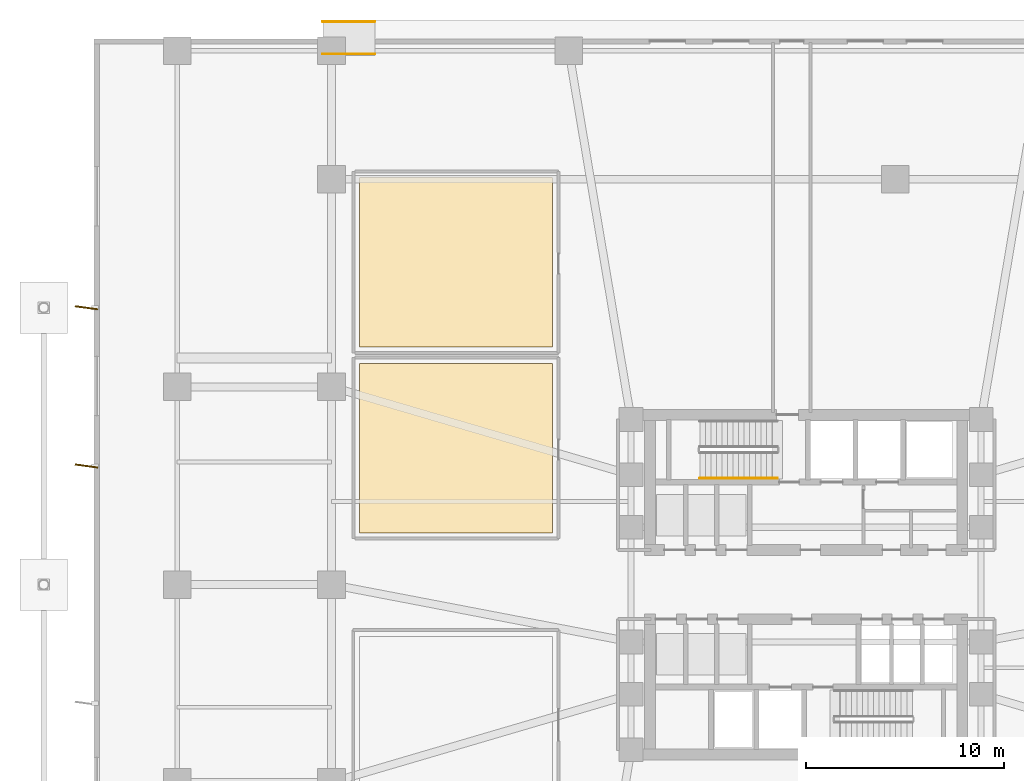
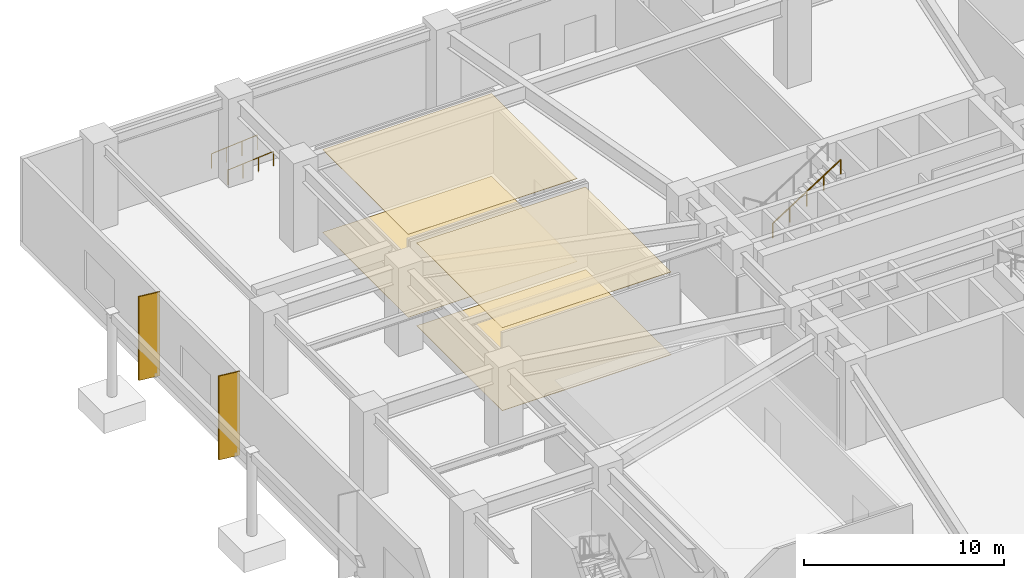
# One storey, part 17 of 20: 4 coverings, 3 railings, 2 shading devices.
"""IFC4 building model written with IfcOpenShell, lengths in metres."""

from ifc_helpers import new_model, si_unit, direction, frame, origin, origin_2d, place, context, subcontext, project, spatial, polyline, rectangle, circle, outline, extrude, material, layer, layer_set, type_object, element, save


model = new_model("IFC4")

# Units and contexts
model_context = context("Model", 3, precision=1e-05, world=origin(), true_north=direction((0.0, 1.0)))
body_context = subcontext(model_context, "Body", "Model", "MODEL_VIEW")
ifc_project = project(units=[si_unit("LENGTHUNIT", "METRE"), si_unit("AREAUNIT", "SQUARE_METRE"), si_unit("VOLUMEUNIT", "CUBIC_METRE"), si_unit("PLANEANGLEUNIT", "RADIAN"), si_unit("MASSUNIT", "GRAM", prefix="KILO")], contexts=[model_context])

# Site, building, storey
site_placement = place(None, origin())
site = spatial("IfcSite", under=ifc_project, at=site_placement, CompositionType="ELEMENT")
building_placement = place(site_placement, origin())
building = spatial("IfcBuilding", under=site, at=building_placement, Name="Solmarez Civic Tower", CompositionType="ELEMENT")
storey_placement = place(building_placement, origin())
storey = spatial("IfcBuildingStorey", under=building, at=storey_placement, Name="L00", CompositionType="ELEMENT", Elevation=0.0)

# Coverings
ifc_material_1 = material(Name="Perforated Mineral-Fibre Acoustic Ceiling")
ifc_layer_1 = layer(ifc_material_1, 0.02490234375)
ifc_layer_set_1 = layer_set([ifc_layer_1], Name="Perforated Mineral-Fibre Acoustic Ceiling")
covering_type_1 = type_object("IfcCoveringType", Name="COV-CEIL-ACOUSTIC", PredefinedType="CEILING", material=ifc_layer_set_1)
covering_1_placement = place(storey_placement, frame((0.0, 0.0, 5.054931640625)))
element("IfcCovering", 1, at=covering_1_placement, inside=storey, type_object=covering_type_1, Name="L00 Suspended Acoustic Ceiling 2", PredefinedType="CEILING", context=body_context, shape_type="SweptSolid", body=[
    extrude(outline(polyline([(-12.820068359375, 2.6201171875), (-12.820068359375, 11.179931640625), (-22.580078125, 11.179931640625), (-22.580078125, 2.6201171875), (-12.820068359375, 2.6201171875)])), origin(), (0.0, 0.0, 1.0), 0.025146484375),
])
covering_2_placement = place(storey_placement, frame((0.0, 0.0, 5.054931640625)))
element("IfcCovering", 2, at=covering_2_placement, inside=storey, type_object=covering_type_1, Name="L00 Suspended Acoustic Ceiling 3", PredefinedType="CEILING", context=body_context, shape_type="SweptSolid", body=[
    extrude(outline(polyline([(-12.820068359375, 12.02001953125), (-12.820068359375, 20.580078125), (-22.580078125, 20.580078125), (-22.580078125, 12.02001953125), (-12.820068359375, 12.02001953125)])), origin(), (0.0, 0.0, 1.0), 0.025146484375),
])
ifc_material_2 = material(Name="Polished Tropical Stone Terrazzo Flooring", Category="masonry")
ifc_layer_2 = layer(ifc_material_2, 0.02001953125)
ifc_layer_set_2 = layer_set([ifc_layer_2], Name="Polished Tropical Stone Terrazzo Flooring")
covering_type_2 = type_object("IfcCoveringType", Name="COV-FLOOR-TERRAZZO", PredefinedType="FLOORING", material=ifc_layer_set_2)
covering_3_placement = place(storey_placement, origin())
element("IfcCovering", 3, at=covering_3_placement, inside=storey, type_object=covering_type_2, Name="L00 Terrazzo Floor Finish 2", PredefinedType="FLOORING", context=body_context, shape_type="SweptSolid", body=[
    extrude(outline(polyline([(-12.820068359375, 2.6201171875), (-12.820068359375, 11.179931640625), (-22.580078125, 11.179931640625), (-22.580078125, 2.6201171875), (-12.820068359375, 2.6201171875)])), origin(), (0.0, 0.0, 1.0), 0.02001953125),
])
covering_4_placement = place(storey_placement, origin())
element("IfcCovering", 4, at=covering_4_placement, inside=storey, type_object=covering_type_2, Name="L00 Terrazzo Floor Finish 3", PredefinedType="FLOORING", context=body_context, shape_type="SweptSolid", body=[
    extrude(outline(polyline([(-12.820068359375, 12.02001953125), (-12.820068359375, 20.580078125), (-22.580078125, 20.580078125), (-22.580078125, 12.02001953125), (-12.820068359375, 12.02001953125)])), origin(), (0.0, 0.0, 1.0), 0.02001953125),
])

# Shading devices
ifc_material_3 = material(Name="Bronze Anodised Aluminium EN AW-6063 T6", Category="aluminium")
ifc_layer_3 = layer(ifc_material_3, 0.070068359375)
ifc_layer_set_3 = layer_set([ifc_layer_3], Name="Bronze Anodised Aluminium EN AW-6063 T6")
shading_device_type = type_object("IfcShadingDeviceType", Name="FIN-BRONZE-POD", PredefinedType="USERDEFINED", material=ifc_layer_set_3)
for number, where, z_axis, x_axis, name in (
    (5, (-36.39501953125, 6.0, -0.0400390625), (0.0, 0.0, 1.0), (-0.990983199715, 0.133986185418, 0.0), "L00 Anodised Bronze Solar Fin FIN-L00-W3"),
    (6, (-36.39501953125, 14.0, -0.0400390625), (0.0, 0.0, 1.0), (-0.990983199715, 0.133986185418, 0.0), "L00 Anodised Bronze Solar Fin FIN-L00-W4"),
):
    element("IfcShadingDevice", number, at=place(storey_placement, frame(where, z_axis=z_axis, x_axis=x_axis)), inside=storey, type_object=shading_device_type, Name=name, ObjectType="FIN", PredefinedType="USERDEFINED", context=body_context, shape_type="SweptSolid", body=[
        extrude(rectangle(XDim=1.14990234375, YDim=0.070068359375, at=origin_2d()), origin(), (0.0, 0.0, 1.0), 5.1201171875),
    ])

# Railings
ifc_material_4 = material(Name="Brushed Stainless Steel Ramp Handrail", Category="steel")
railing_type_1 = type_object("IfcRailingType", Name="HANDRAIL-RAMP-920", PredefinedType="HANDRAIL", material=ifc_material_4)
for number, where, name in (
    (7, (-24.43994140625, 26.830078125, -0.219970703125), "North Plaza Accessible Ramp AR3 Side Handrail 1"),
    (8, (-24.43994140625, 28.469970703125, -0.219970703125), "North Plaza Accessible Ramp AR3 Side Handrail 2"),
):
    element("IfcRailing", number, at=place(storey_placement, frame(where)), inside=storey, type_object=railing_type_1, Name=name, PredefinedType="HANDRAIL", context=body_context, shape_type="SweptSolid", body=[
        extrude(circle(Radius=0.02392578125, at=origin_2d()), frame((0.0, 0.0, 0.89599609375), z_axis=(0.996546393815, 0.0, 0.083037852661), x_axis=(0.0, 1.0, 0.0)), (0.0, 0.0, 1.0), 2.64892578125),
        extrude(circle(Radius=0.02099609375, at=origin_2d()), origin(), (0.0, 0.0, 1.0), 0.871826171875),
        extrude(circle(Radius=0.02099609375, at=origin_2d()), frame((0.8798828125, 0.0, 0.0732421875)), (0.0, 0.0, 1.0), 0.871826171875),
        extrude(circle(Radius=0.02099609375, at=origin_2d()), frame((1.760009765625, 0.0, 0.146728515625)), (0.0, 0.0, 1.0), 0.871826171875),
        extrude(circle(Radius=0.02099609375, at=origin_2d()), frame((2.639892578125, 0.0, 0.219970703125)), (0.0, 0.0, 1.0), 0.871826171875),
    ])
ifc_material_5 = material(Name="Brushed Stainless Steel Tube Handrail", Category="steel")
railing_type_2 = type_object("IfcRailingType", Name="HANDRAIL-STAIR-900", PredefinedType="HANDRAIL", material=ifc_material_5)
railing_placement = place(storey_placement, frame((-5.3701171875, 5.3701171875, 2.8798828125)))
element("IfcRailing", 9, at=railing_placement, inside=storey, type_object=railing_type_2, Name="L00 ST-1 stair handrail 2", PredefinedType="HANDRAIL", context=body_context, shape_type="SweptSolid", body=[
    extrude(circle(Radius=0.02392578125, at=origin_2d()), frame((0.0, 0.0, 0.8759765625), z_axis=(0.841186985886, 0.0, 0.540744352514), x_axis=(0.0, 1.0, 0.0)), (0.0, 0.0, 1.0), 4.660400390625),
    extrude(circle(Radius=0.02099609375, at=origin_2d()), origin(), (0.0, 0.0, 1.0), 0.851806640625),
    extrude(circle(Radius=0.02099609375, at=origin_2d()), frame((0.97998046875, 0.0, 0.6298828125)), (0.0, 0.0, 1.0), 0.851806640625),
    extrude(circle(Radius=0.02099609375, at=origin_2d()), frame((1.9599609375, 0.0, 1.260009765625)), (0.0, 0.0, 1.0), 0.851806640625),
    extrude(circle(Radius=0.02099609375, at=origin_2d()), frame((2.940185546875, 0.0, 1.89013671875)), (0.0, 0.0, 1.0), 0.851806640625),
    extrude(circle(Radius=0.02099609375, at=origin_2d()), frame((3.920166015625, 0.0, 2.52001953125)), (0.0, 0.0, 1.0), 0.851806640625),
])

save(model, "model.ifc")
